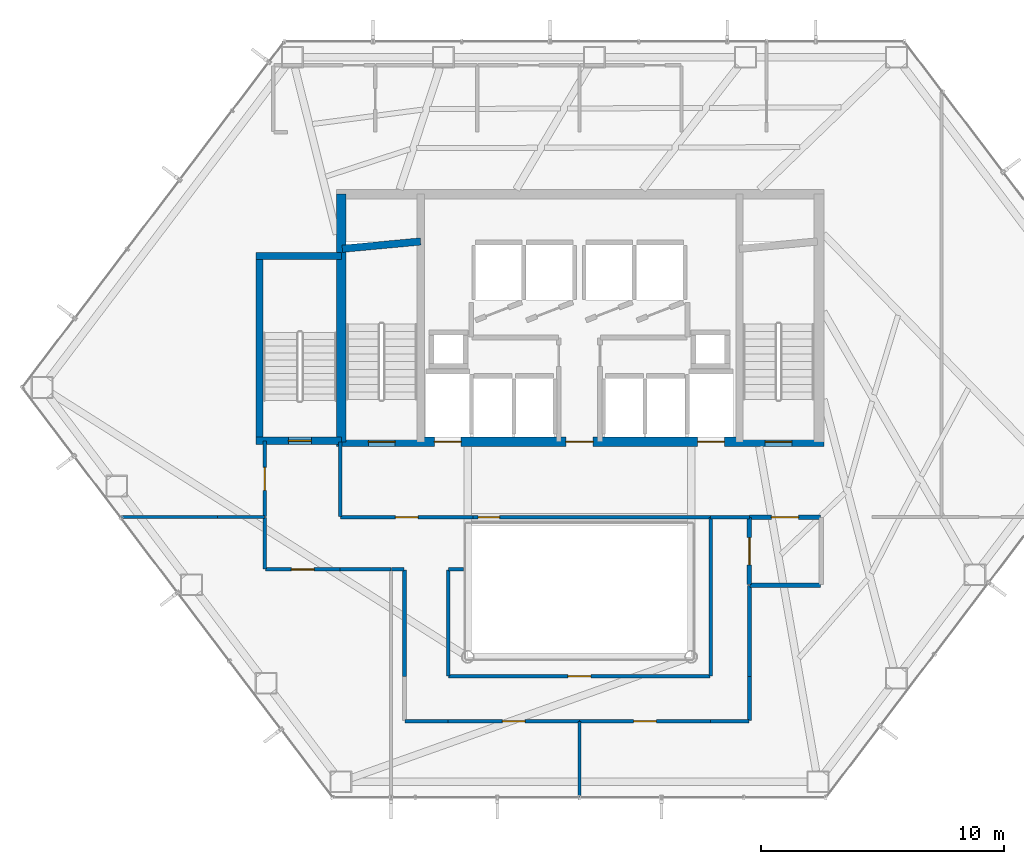
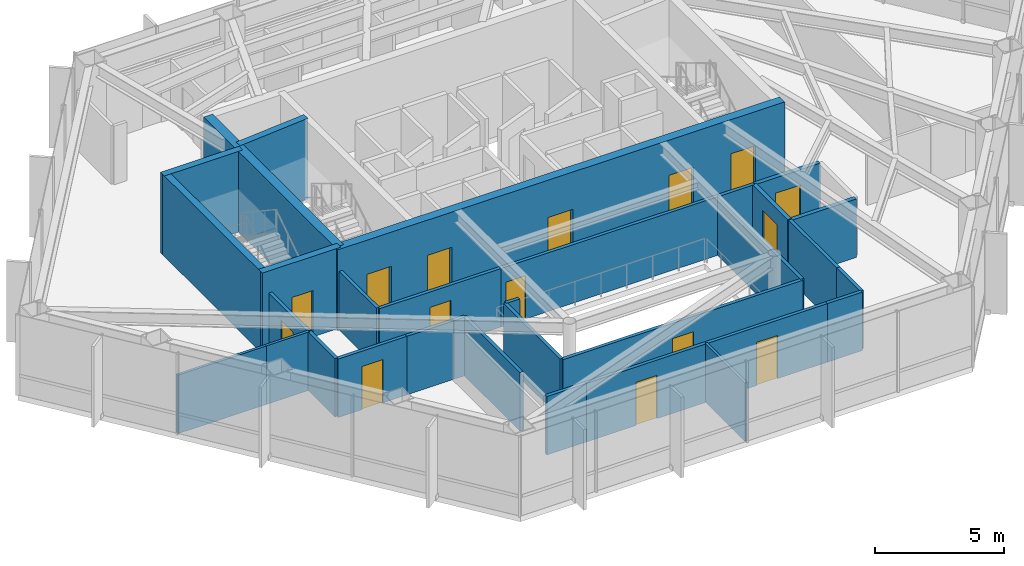
# One storey, part 21 of 24: 32 walls, 15 doors, 15 openings.
"""IFC4 building model written with IfcOpenShell, lengths in metres."""

from ifc_helpers import new_model, si_unit, direction, frame, frame_2d, origin, place, context, subcontext, project, spatial, rectangle, extrude, material, layer, layer_set, type_object, element, fill, save


model = new_model("IFC4")

# Units and contexts
model_context = context("Model", 3, precision=1e-05, world=origin(), true_north=direction((0.0, 1.0)))
body_context = subcontext(model_context, "Body", "Model", "MODEL_VIEW")
ifc_project = project(units=[si_unit("LENGTHUNIT", "METRE"), si_unit("AREAUNIT", "SQUARE_METRE"), si_unit("VOLUMEUNIT", "CUBIC_METRE"), si_unit("PLANEANGLEUNIT", "RADIAN"), si_unit("MASSUNIT", "GRAM", prefix="KILO")], contexts=[model_context])

# Site, building, storey
site_placement = place(None, origin())
site = spatial("IfcSite", under=ifc_project, at=site_placement, CompositionType="ELEMENT")
building_placement = place(site_placement, origin())
building = spatial("IfcBuilding", under=site, at=building_placement, Name="Zarrinselat Tower", CompositionType="ELEMENT")
storey_placement = place(building_placement, frame((0.0, 0.0, 72.419921875)))
storey = spatial("IfcBuildingStorey", under=building, at=storey_placement, Name="L17", CompositionType="ELEMENT", Elevation=72.419921875)

# Wall, opening, door
ifc_material_1 = material(Name="Concrete C40/50", Category="concrete")
ifc_layer_1 = layer(ifc_material_1, 0.18994140625)
ifc_layer_set_1 = layer_set([ifc_layer_1], Name="Concrete C40/50")
wall_type_1 = type_object("IfcWallType", Name="WAL-PART-EI120", PredefinedType="PARTITIONING", material=ifc_layer_set_1)
wall_1_placement = place(storey_placement, frame((45.405029296875, 30.14990234375, 0.0), z_axis=(0.0, 0.0, 1.0), x_axis=(1.0, 0.0, 0.0)))
wall_1 = element("IfcWall", 1, at=wall_1_placement, inside=storey, type_object=wall_type_1, Name="L17 Partition Wall 7", PredefinedType="PARTITIONING", context=body_context, shape_type="SweptSolid", body=[
    extrude(rectangle(XDim=2.925048828125, YDim=0.18994140625, at=frame_2d((1.46240234375, 0.0))), origin(), (0.0, 0.0, 1.0), 2.777099609375),
])
opening_1_placement = place(wall_1_placement, frame((0.902587890625, 0.0, 0.0)))
opening_1 = element("IfcOpeningElement", 2, at=opening_1_placement, cuts=wall_1, Name="Opening ID-02", PredefinedType="OPENING", context=body_context, shape_type="SweptSolid", body=[
    extrude(rectangle(XDim=1.1201171875, YDim=2.050048828125, at=frame_2d((0.56005859375, 1.02490234375))), frame((0.0, 0.10498046875, 0.0), z_axis=(0.0, -1.0, 0.0), x_axis=(1.0, 0.0, 0.0)), (0.0, 0.0, 1.0), 0.2099609375),
])
ifc_material_2 = material(Name="Steel S355J2", Category="steel")
door_type_1 = type_object("IfcDoorType", Name="DR-INT-FD60-W", OperationType="NOTDEFINED", PredefinedType="DOOR", material=ifc_material_2)
door_1_placement = place(opening_1_placement, origin())
door_1 = element("IfcDoor", 3, at=door_1_placement, inside=storey, type_object=door_type_1, Name="L17 Interior Door P7", OperationType="SINGLE_SWING_LEFT", OverallHeight=2.050048828125, OverallWidth=1.1201171875, PredefinedType="DOOR", context=body_context, shape_type="SweptSolid", body=[
    extrude(rectangle(XDim=1.1201171875, YDim=2.050048828125, at=frame_2d((0.56005859375, 1.02490234375))), frame((0.0, 0.02490234375, 0.0), z_axis=(0.0, -1.0, 0.0), x_axis=(1.0, 0.0, 0.0)), (0.0, 0.0, 1.0), 0.050048828125),
])
fill(opening_1, door_1)

wall_2_placement = place(storey_placement, frame((45.39990234375, 27.3701171875, 0.0), z_axis=(0.0, 0.0, 1.0), x_axis=(0.0, 1.0, 0.0)))
wall_2 = element("IfcWall", 4, at=wall_2_placement, inside=storey, type_object=wall_type_1, Name="L17 Partition Wall 12", PredefinedType="PARTITIONING", context=body_context, shape_type="SweptSolid", body=[
    extrude(rectangle(XDim=2.759765625, YDim=0.18994140625, at=frame_2d((1.3798828125, 0.0))), origin(), (0.0, 0.0, 1.0), 2.777099609375),
])
opening_2_placement = place(wall_2_placement, frame((0.820068359375, 0.0, 0.0)))
opening_2 = element("IfcOpeningElement", 5, at=opening_2_placement, cuts=wall_2, Name="Opening ID-02", PredefinedType="OPENING", context=body_context, shape_type="SweptSolid", body=[
    extrude(rectangle(XDim=1.1201171875, YDim=2.050048828125, at=frame_2d((0.56005859375, 1.02490234375))), frame((0.0, 0.10498046875, 0.0), z_axis=(0.0, -1.0, 0.0), x_axis=(1.0, 0.0, 0.0)), (0.0, 0.0, 1.0), 0.2099609375),
])
door_2_placement = place(opening_2_placement, origin())
door_2 = element("IfcDoor", 6, at=door_2_placement, inside=storey, type_object=door_type_1, Name="L17 Interior Door P12", OperationType="SINGLE_SWING_RIGHT", OverallHeight=2.050048828125, OverallWidth=1.1201171875, PredefinedType="DOOR", context=body_context, shape_type="SweptSolid", body=[
    extrude(rectangle(XDim=1.1201171875, YDim=2.050048828125, at=frame_2d((0.56005859375, 1.02490234375))), frame((0.0, 0.02490234375, 0.0), z_axis=(0.0, -1.0, 0.0), x_axis=(1.0, 0.0, 0.0)), (0.0, 0.0, 1.0), 0.050048828125),
])
fill(opening_2, door_2)

# Walls
wall_3_placement = place(storey_placement, frame((45.419921875, 27.35009765625, 0.0), z_axis=(0.0, 0.0, 1.0), x_axis=(1.0, 0.0, 0.0)))
element("IfcWall", 7, at=wall_3_placement, inside=storey, type_object=wall_type_1, Name="L17 Partition Wall 13", PredefinedType="PARTITIONING", context=body_context, shape_type="SweptSolid", body=[
    extrude(rectangle(XDim=2.91015625, YDim=0.18994140625, at=frame_2d((1.455078125, 0.0))), origin(), (0.0, 0.0, 1.0), 2.777099609375),
])
ifc_material_3 = material(Name="Fire-Rated Gypsum Board Partition", Category="gypsum")
ifc_layer_2 = layer(ifc_material_3, 0.14990234375)
ifc_layer_set_2 = layer_set([ifc_layer_2], Name="Fire-Rated Gypsum Board Partition")
wall_type_2 = type_object("IfcWallType", Name="WAL-PART-EI60", PredefinedType="PARTITIONING", material=ifc_layer_set_2)
wall_4_placement = place(storey_placement, frame((43.804931640625, 30.14990234375, 0.0), z_axis=(0.0, 0.0, 1.0), x_axis=(1.0, 0.0, 0.0)))
element("IfcWall", 8, at=wall_4_placement, inside=storey, type_object=wall_type_2, Name="L17 Partition Wall 8", PredefinedType="PARTITIONING", context=body_context, shape_type="SweptSolid", body=[
    extrude(rectangle(XDim=1.590087890625, YDim=0.14990234375, at=frame_2d((0.794921875, 0.0))), origin(), (0.0, 0.0, 1.0), 2.777099609375),
])

# Wall, opening, door
wall_5_placement = place(storey_placement, frame((28.570068359375, 30.14990234375, 0.0), z_axis=(0.0, 0.0, 1.0), x_axis=(1.0, 0.0, 0.0)))
wall_5 = element("IfcWall", 9, at=wall_5_placement, inside=storey, type_object=wall_type_2, Name="L17 Partition Wall 9", PredefinedType="PARTITIONING", context=body_context, shape_type="SweptSolid", body=[
    extrude(rectangle(XDim=5.44482421875, YDim=0.14990234375, at=frame_2d((2.722412109375, 0.0))), origin(), (0.0, 0.0, 1.0), 2.777099609375),
])
opening_3_placement = place(wall_5_placement, frame((2.25244140625, 0.0, 0.0)))
opening_3 = element("IfcOpeningElement", 10, at=opening_3_placement, cuts=wall_5, Name="Opening ID-04", PredefinedType="OPENING", context=body_context, shape_type="SweptSolid", body=[
    extrude(rectangle(XDim=0.93994140625, YDim=2.050048828125, at=frame_2d((0.469970703125, 1.02490234375))), frame((0.0, 0.0849609375, 0.0), z_axis=(0.0, -1.0, 0.0), x_axis=(1.0, 0.0, 0.0)), (0.0, 0.0, 1.0), 0.169921875),
])
ifc_material_4 = material(Name="Fire-Rated Gypsum Board Partition")
door_type_2 = type_object("IfcDoorType", Name="DR-INT-FD30-ENT", OperationType="NOTDEFINED", PredefinedType="DOOR", material=ifc_material_4)
door_3_placement = place(opening_3_placement, origin())
door_3 = element("IfcDoor", 11, at=door_3_placement, inside=storey, type_object=door_type_2, Name="L17 Interior Door P9", OperationType="SINGLE_SWING_RIGHT", OverallHeight=2.050048828125, OverallWidth=0.93994140625, PredefinedType="DOOR", context=body_context, shape_type="SweptSolid", body=[
    extrude(rectangle(XDim=0.93994140625, YDim=2.050048828125, at=frame_2d((0.469970703125, 1.02490234375))), frame((0.0, 0.02490234375, 0.0), z_axis=(0.0, -1.0, 0.0), x_axis=(1.0, 0.0, 0.0)), (0.0, 0.0, 1.0), 0.050048828125),
])
fill(opening_3, door_3)

# Wall
wall_6_placement = place(storey_placement, frame((28.550048828125, 30.169921875, 0.0), z_axis=(0.0, 0.0, 1.0), x_axis=(0.0, 1.0, 0.0)))
element("IfcWall", 12, at=wall_6_placement, inside=storey, type_object=wall_type_2, Name="L17 Partition Wall 10", PredefinedType="PARTITIONING", context=body_context, shape_type="SweptSolid", body=[
    extrude(rectangle(XDim=3.065185546875, YDim=0.14990234375, at=frame_2d((1.53271484375, 0.0))), origin(), (0.0, 0.0, 1.0), 2.777099609375),
])

# Wall, opening, door
wall_7_placement = place(storey_placement, frame((33.985107421875, 30.14990234375, 0.0), z_axis=(0.0, 0.0, 1.0), x_axis=(1.0, 0.0, 0.0)))
wall_7 = element("IfcWall", 13, at=wall_7_placement, inside=storey, type_object=wall_type_2, Name="L17 Partition Wall 11", PredefinedType="PARTITIONING", context=body_context, shape_type="SweptSolid", body=[
    extrude(rectangle(XDim=9.809814453125, YDim=0.14990234375, at=frame_2d((4.90478515625, 0.0))), origin(), (0.0, 0.0, 1.0), 2.777099609375),
])
opening_4_placement = place(wall_7_placement, frame((0.25, 0.0, 0.0)))
opening_4 = element("IfcOpeningElement", 14, at=opening_4_placement, cuts=wall_7, Name="Opening ID-03", PredefinedType="OPENING", context=body_context, shape_type="SweptSolid", body=[
    extrude(rectangle(XDim=0.8798828125, YDim=2.050048828125, at=frame_2d((0.43994140625, 1.02490234375))), frame((0.0, 0.0849609375, 0.0), z_axis=(0.0, -1.0, 0.0), x_axis=(1.0, 0.0, 0.0)), (0.0, 0.0, 1.0), 0.169921875),
])
ifc_material_5 = material(Name="Steel S355J2", Category="steel")
door_type_3 = type_object("IfcDoorType", Name="DR-INT-FD60-S", OperationType="NOTDEFINED", PredefinedType="DOOR", material=ifc_material_5)
door_4_placement = place(opening_4_placement, origin())
door_4 = element("IfcDoor", 15, at=door_4_placement, inside=storey, type_object=door_type_3, Name="L17 Interior Door P11", OperationType="SINGLE_SWING_LEFT", OverallHeight=2.050048828125, OverallWidth=0.8798828125, PredefinedType="DOOR", context=body_context, shape_type="SweptSolid", body=[
    extrude(rectangle(XDim=0.8798828125, YDim=2.050048828125, at=frame_2d((0.43994140625, 1.02490234375))), frame((0.0, 0.02490234375, 0.0), z_axis=(0.0, -1.0, 0.0), x_axis=(1.0, 0.0, 0.0)), (0.0, 0.0, 1.0), 0.050048828125),
])
fill(opening_4, door_4)

wall_8_placement = place(storey_placement, frame((33.0, 21.75, 0.0), z_axis=(0.0, 0.0, 1.0), x_axis=(1.0, 0.0, 0.0)))
wall_8 = element("IfcWall", 16, at=wall_8_placement, inside=storey, type_object=wall_type_2, Name="L17 Partition Wall 15", PredefinedType="PARTITIONING", context=body_context, shape_type="SweptSolid", body=[
    extrude(rectangle(XDim=5.39501953125, YDim=0.14990234375, at=frame_2d((2.697509765625, 0.0))), origin(), (0.0, 0.0, 1.0), 2.777099609375),
])
opening_5_placement = place(wall_8_placement, frame((2.2275390625, 0.0, 0.0)))
opening_5 = element("IfcOpeningElement", 17, at=opening_5_placement, cuts=wall_8, Name="Opening ID-04", PredefinedType="OPENING", context=body_context, shape_type="SweptSolid", body=[
    extrude(rectangle(XDim=0.93994140625, YDim=2.050048828125, at=frame_2d((0.469970703125, 1.02490234375))), frame((0.0, 0.0849609375, 0.0), z_axis=(0.0, -1.0, 0.0), x_axis=(1.0, 0.0, 0.0)), (0.0, 0.0, 1.0), 0.169921875),
])
door_5_placement = place(opening_5_placement, origin())
door_5 = element("IfcDoor", 18, at=door_5_placement, inside=storey, type_object=door_type_2, Name="L17 Interior Door P15", OperationType="SINGLE_SWING_LEFT", OverallHeight=2.050048828125, OverallWidth=0.93994140625, PredefinedType="DOOR", context=body_context, shape_type="SweptSolid", body=[
    extrude(rectangle(XDim=0.93994140625, YDim=2.050048828125, at=frame_2d((0.469970703125, 1.02490234375))), frame((0.0, 0.02490234375, 0.0), z_axis=(0.0, -1.0, 0.0), x_axis=(1.0, 0.0, 0.0)), (0.0, 0.0, 1.0), 0.050048828125),
])
fill(opening_5, door_5)

# Walls
wall_9_placement = place(storey_placement, frame((31.219970703125, 21.75, 0.0), z_axis=(0.0, 0.0, 1.0), x_axis=(1.0, 0.0, 0.0)))
element("IfcWall", 19, at=wall_9_placement, inside=storey, type_object=wall_type_2, Name="L17 Partition Wall 16", PredefinedType="PARTITIONING", context=body_context, shape_type="SweptSolid", body=[
    extrude(rectangle(XDim=1.780029296875, YDim=0.14990234375, at=frame_2d((0.89013671875, 0.0))), origin(), (0.0, 0.0, 1.0), 2.777099609375),
])
wall_10_placement = place(storey_placement, frame((31.199951171875, 23.60009765625, 0.0), z_axis=(0.0, 0.0, 1.0), x_axis=(0.0, 1.0, 0.0)))
element("IfcWall", 20, at=wall_10_placement, inside=storey, type_object=wall_type_2, Name="L17 Partition Wall 18", PredefinedType="PARTITIONING", context=body_context, shape_type="SweptSolid", body=[
    extrude(rectangle(XDim=4.3798828125, YDim=0.14990234375, at=frame_2d((2.18994140625, 0.0))), origin(), (0.0, 0.0, 1.0), 2.777099609375),
])
wall_11_placement = place(storey_placement, frame((30.655029296875, 28.0, 0.0), z_axis=(0.0, 0.0, 1.0), x_axis=(1.0, 0.0, 0.0)))
element("IfcWall", 21, at=wall_11_placement, inside=storey, type_object=wall_type_2, Name="L17 Partition Wall 19", PredefinedType="PARTITIONING", context=body_context, shape_type="SweptSolid", body=[
    extrude(rectangle(XDim=0.52490234375, YDim=0.14990234375, at=frame_2d((0.262451171875, 0.0))), origin(), (0.0, 0.0, 1.0), 2.777099609375),
])
wall_12_placement = place(storey_placement, frame((45.39990234375, 23.60009765625, 0.0), z_axis=(0.0, 0.0, 1.0), x_axis=(0.0, 1.0, 0.0)))
element("IfcWall", 22, at=wall_12_placement, inside=storey, type_object=wall_type_2, Name="L17 Partition Wall 20", PredefinedType="PARTITIONING", context=body_context, shape_type="SweptSolid", body=[
    extrude(rectangle(XDim=3.72998046875, YDim=0.14990234375, at=frame_2d((1.864990234375, 0.0))), origin(), (0.0, 0.0, 1.0), 2.777099609375),
])
wall_13_placement = place(storey_placement, frame((45.39990234375, 21.77001953125, 0.0), z_axis=(0.0, 0.0, 1.0), x_axis=(0.0, 1.0, 0.0)))
element("IfcWall", 23, at=wall_13_placement, inside=storey, type_object=wall_type_2, Name="L17 Partition Wall 21", PredefinedType="PARTITIONING", context=body_context, shape_type="SweptSolid", body=[
    extrude(rectangle(XDim=1.830078125, YDim=0.14990234375, at=frame_2d((0.9150390625, 0.0))), origin(), (0.0, 0.0, 1.0), 2.777099609375),
])
wall_14_placement = place(storey_placement, frame((43.800048828125, 21.75, 0.0), z_axis=(0.0, 0.0, 1.0), x_axis=(1.0, 0.0, 0.0)))
element("IfcWall", 24, at=wall_14_placement, inside=storey, type_object=wall_type_2, Name="L17 Partition Wall 22", PredefinedType="PARTITIONING", context=body_context, shape_type="SweptSolid", body=[
    extrude(rectangle(XDim=1.579833984375, YDim=0.14990234375, at=frame_2d((0.7900390625, 0.0))), origin(), (0.0, 0.0, 1.0), 2.777099609375),
])

# Wall, opening, door
wall_15_placement = place(storey_placement, frame((38.405029296875, 21.75, 0.0), z_axis=(0.0, 0.0, 1.0), x_axis=(1.0, 0.0, 0.0)))
wall_15 = element("IfcWall", 25, at=wall_15_placement, inside=storey, type_object=wall_type_2, Name="L17 Partition Wall 23", PredefinedType="PARTITIONING", context=body_context, shape_type="SweptSolid", body=[
    extrude(rectangle(XDim=5.39501953125, YDim=0.14990234375, at=frame_2d((2.697509765625, 0.0))), origin(), (0.0, 0.0, 1.0), 2.777099609375),
])
opening_6_placement = place(wall_15_placement, frame((2.2275390625, 0.0, 0.0)))
opening_6 = element("IfcOpeningElement", 26, at=opening_6_placement, cuts=wall_15, Name="Opening ID-04", PredefinedType="OPENING", context=body_context, shape_type="SweptSolid", body=[
    extrude(rectangle(XDim=0.93994140625, YDim=2.050048828125, at=frame_2d((0.469970703125, 1.02490234375))), frame((0.0, 0.0849609375, 0.0), z_axis=(0.0, -1.0, 0.0), x_axis=(1.0, 0.0, 0.0)), (0.0, 0.0, 1.0), 0.169921875),
])
door_6_placement = place(opening_6_placement, origin())
door_6 = element("IfcDoor", 27, at=door_6_placement, inside=storey, type_object=door_type_2, Name="L17 Interior Door P23", OperationType="SINGLE_SWING_RIGHT", OverallHeight=2.050048828125, OverallWidth=0.93994140625, PredefinedType="DOOR", context=body_context, shape_type="SweptSolid", body=[
    extrude(rectangle(XDim=0.93994140625, YDim=2.050048828125, at=frame_2d((0.469970703125, 1.02490234375))), frame((0.0, 0.02490234375, 0.0), z_axis=(0.0, -1.0, 0.0), x_axis=(1.0, 0.0, 0.0)), (0.0, 0.0, 1.0), 0.050048828125),
])
fill(opening_6, door_6)

# Wall
wall_16_placement = place(storey_placement, frame((28.550048828125, 28.0, 0.0), z_axis=(0.0, 0.0, 1.0), x_axis=(1.0, 0.0, 0.0)))
element("IfcWall", 28, at=wall_16_placement, inside=storey, type_object=wall_type_2, Name="L17 Partition Wall 24", PredefinedType="PARTITIONING", context=body_context, shape_type="SweptSolid", body=[
    extrude(rectangle(XDim=2.094970703125, YDim=0.14990234375, at=frame_2d((1.04736328125, 0.0))), origin(), (0.0, 0.0, 1.0), 2.777099609375),
])

# Wall, opening, door
wall_17_placement = place(storey_placement, frame((25.469970703125, 28.0, 0.0), z_axis=(0.0, 0.0, 1.0), x_axis=(1.0, 0.0, 0.0)))
wall_17 = element("IfcWall", 29, at=wall_17_placement, inside=storey, type_object=wall_type_2, Name="L17 Partition Wall 25", PredefinedType="PARTITIONING", context=body_context, shape_type="SweptSolid", body=[
    extrude(rectangle(XDim=3.080078125, YDim=0.14990234375, at=frame_2d((1.5400390625, 0.0))), origin(), (0.0, 0.0, 1.0), 2.777099609375),
])
opening_7_placement = place(wall_17_placement, frame((1.070068359375, 0.0, 0.0)))
opening_7 = element("IfcOpeningElement", 30, at=opening_7_placement, cuts=wall_17, Name="Opening ID-04", PredefinedType="OPENING", context=body_context, shape_type="SweptSolid", body=[
    extrude(rectangle(XDim=0.93994140625, YDim=2.050048828125, at=frame_2d((0.469970703125, 1.02490234375))), frame((0.0, 0.0849609375, 0.0), z_axis=(0.0, -1.0, 0.0), x_axis=(1.0, 0.0, 0.0)), (0.0, 0.0, 1.0), 0.169921875),
])
door_7_placement = place(opening_7_placement, origin())
door_7 = element("IfcDoor", 31, at=door_7_placement, inside=storey, type_object=door_type_2, Name="L17 Interior Door P25", OperationType="SINGLE_SWING_LEFT", OverallHeight=2.050048828125, OverallWidth=0.93994140625, PredefinedType="DOOR", context=body_context, shape_type="SweptSolid", body=[
    extrude(rectangle(XDim=0.93994140625, YDim=2.050048828125, at=frame_2d((0.469970703125, 1.02490234375))), frame((0.0, 0.02490234375, 0.0), z_axis=(0.0, -1.0, 0.0), x_axis=(1.0, 0.0, 0.0)), (0.0, 0.0, 1.0), 0.050048828125),
])
fill(opening_7, door_7)

# Wall
wall_18_placement = place(storey_placement, frame((25.449951171875, 28.02001953125, 0.0), z_axis=(0.0, 0.0, 1.0), x_axis=(0.0, 1.0, 0.0)))
element("IfcWall", 32, at=wall_18_placement, inside=storey, type_object=wall_type_2, Name="L17 Partition Wall 26", PredefinedType="PARTITIONING", context=body_context, shape_type="SweptSolid", body=[
    extrude(rectangle(XDim=2.10986328125, YDim=0.14990234375, at=frame_2d((1.054931640625, 0.0))), origin(), (0.0, 0.0, 1.0), 2.777099609375),
])

# Wall, opening, door
wall_19_placement = place(storey_placement, frame((25.449951171875, 30.169921875, 0.0), z_axis=(0.0, 0.0, 1.0), x_axis=(0.0, 1.0, 0.0)))
wall_19 = element("IfcWall", 33, at=wall_19_placement, inside=storey, type_object=wall_type_2, Name="L17 Partition Wall 27", PredefinedType="PARTITIONING", context=body_context, shape_type="SweptSolid", body=[
    extrude(rectangle(XDim=3.114990234375, YDim=0.14990234375, at=frame_2d((1.5576171875, 0.0))), origin(), (0.0, 0.0, 1.0), 2.777099609375),
])
opening_8_placement = place(wall_19_placement, frame((1.08740234375, 0.0, 0.0)))
opening_8 = element("IfcOpeningElement", 34, at=opening_8_placement, cuts=wall_19, Name="Opening ID-04", PredefinedType="OPENING", context=body_context, shape_type="SweptSolid", body=[
    extrude(rectangle(XDim=0.93994140625, YDim=2.050048828125, at=frame_2d((0.469970703125, 1.02490234375))), frame((0.0, 0.0849609375, 0.0), z_axis=(0.0, -1.0, 0.0), x_axis=(1.0, 0.0, 0.0)), (0.0, 0.0, 1.0), 0.169921875),
])
door_8_placement = place(opening_8_placement, origin())
door_8 = element("IfcDoor", 35, at=door_8_placement, inside=storey, type_object=door_type_2, Name="L17 Interior Door P27", OperationType="SINGLE_SWING_RIGHT", OverallHeight=2.050048828125, OverallWidth=0.93994140625, PredefinedType="DOOR", context=body_context, shape_type="SweptSolid", body=[
    extrude(rectangle(XDim=0.93994140625, YDim=2.050048828125, at=frame_2d((0.469970703125, 1.02490234375))), frame((0.0, 0.02490234375, 0.0), z_axis=(0.0, -1.0, 0.0), x_axis=(1.0, 0.0, 0.0)), (0.0, 0.0, 1.0), 0.050048828125),
])
fill(opening_8, door_8)

# Walls
wall_20_placement = place(storey_placement, frame((33.02001953125, 28.0, 0.0), z_axis=(0.0, 0.0, 1.0), x_axis=(1.0, 0.0, 0.0)))
element("IfcWall", 36, at=wall_20_placement, inside=storey, type_object=wall_type_2, Name="L17 Partition Wall 28", PredefinedType="PARTITIONING", context=body_context, shape_type="SweptSolid", body=[
    extrude(rectangle(XDim=0.60009765625, YDim=0.14990234375, at=frame_2d((0.300048828125, 0.0))), origin(), (0.0, 0.0, 1.0), 2.777099609375),
])
wall_21_placement = place(storey_placement, frame((33.0, 23.6201171875, 0.0), z_axis=(0.0, 0.0, 1.0), x_axis=(0.0, 1.0, 0.0)))
element("IfcWall", 37, at=wall_21_placement, inside=storey, type_object=wall_type_2, Name="L17 Partition Wall 29", PredefinedType="PARTITIONING", context=body_context, shape_type="SweptSolid", body=[
    extrude(rectangle(XDim=4.35986328125, YDim=0.14990234375, at=frame_2d((2.179931640625, 0.0))), origin(), (0.0, 0.0, 1.0), 2.777099609375),
])

# Wall, opening, door
wall_22_placement = place(storey_placement, frame((33.02001953125, 23.60009765625, 0.0), z_axis=(0.0, 0.0, 1.0), x_axis=(1.0, 0.0, 0.0)))
wall_22 = element("IfcWall", 38, at=wall_22_placement, inside=storey, type_object=wall_type_2, Name="L17 Partition Wall 30", PredefinedType="PARTITIONING", context=body_context, shape_type="SweptSolid", body=[
    extrude(rectangle(XDim=10.760009765625, YDim=0.14990234375, at=frame_2d((5.3798828125, 0.0))), origin(), (0.0, 0.0, 1.0), 2.777099609375),
])
opening_9_placement = place(wall_22_placement, frame((4.909912109375, 0.0, 0.0)))
opening_9 = element("IfcOpeningElement", 39, at=opening_9_placement, cuts=wall_22, Name="Opening ID-04", PredefinedType="OPENING", context=body_context, shape_type="SweptSolid", body=[
    extrude(rectangle(XDim=0.93994140625, YDim=2.050048828125, at=frame_2d((0.469970703125, 1.02490234375))), frame((0.0, 0.0849609375, 0.0), z_axis=(0.0, -1.0, 0.0), x_axis=(1.0, 0.0, 0.0)), (0.0, 0.0, 1.0), 0.169921875),
])
door_9_placement = place(opening_9_placement, origin())
door_9 = element("IfcDoor", 40, at=door_9_placement, inside=storey, type_object=door_type_2, Name="L17 Interior Door P30", OperationType="SINGLE_SWING_LEFT", OverallHeight=2.050048828125, OverallWidth=0.93994140625, PredefinedType="DOOR", context=body_context, shape_type="SweptSolid", body=[
    extrude(rectangle(XDim=0.93994140625, YDim=2.050048828125, at=frame_2d((0.469970703125, 1.02490234375))), frame((0.0, 0.02490234375, 0.0), z_axis=(0.0, -1.0, 0.0), x_axis=(1.0, 0.0, 0.0)), (0.0, 0.0, 1.0), 0.050048828125),
])
fill(opening_9, door_9)

# Walls
wall_23_placement = place(storey_placement, frame((43.800048828125, 23.6201171875, 0.0), z_axis=(0.0, 0.0, 1.0), x_axis=(0.0, 1.0, 0.0)))
element("IfcWall", 41, at=wall_23_placement, inside=storey, type_object=wall_type_2, Name="L17 Partition Wall 31", PredefinedType="PARTITIONING", context=body_context, shape_type="SweptSolid", body=[
    extrude(rectangle(XDim=6.509765625, YDim=0.14990234375, at=frame_2d((3.2548828125, 0.0))), origin(), (0.0, 0.0, 1.0), 2.777099609375),
])
ifc_material_6 = material(Name="Fire-Rated Gypsum Board Partition", Category="gypsum")
ifc_layer_3 = layer(ifc_material_6, 0.1201171875)
ifc_layer_set_3 = layer_set([ifc_layer_3], Name="Fire-Rated Gypsum Board Partition")
wall_type_3 = type_object("IfcWallType", Name="WAL-PART-STD", PredefinedType="PARTITIONING", material=ifc_layer_set_3)
wall_24_placement = place(storey_placement, frame((38.39990234375, 18.619873046875, 0.0), z_axis=(0.0, 0.0, 1.0), x_axis=(0.0, 1.0, 0.0)))
element("IfcWall", 42, at=wall_24_placement, inside=storey, type_object=wall_type_3, Name="L17 Partition Wall 42", PredefinedType="PARTITIONING", context=body_context, shape_type="SweptSolid", body=[
    extrude(rectangle(XDim=3.110107421875, YDim=0.1201171875, at=frame_2d((1.55517578125, 0.0))), origin(), (0.0, 0.0, 1.0), 2.777099609375),
])
wall_25_placement = place(storey_placement, frame((19.523681640625, 30.14990234375, 0.0), z_axis=(0.0, 0.0, 1.0), x_axis=(1.0, 0.0, 0.0)))
element("IfcWall", 43, at=wall_25_placement, inside=storey, type_object=wall_type_3, Name="L17 Partition Wall 46", PredefinedType="PARTITIONING", context=body_context, shape_type="SweptSolid", body=[
    extrude(rectangle(XDim=3.976318359375, YDim=0.1201171875, at=frame_2d((1.98828125, 0.0))), origin(), (0.0, 0.0, 1.0), 2.777099609375),
])
wall_26_placement = place(storey_placement, frame((23.5, 30.14990234375, 0.0), z_axis=(0.0, 0.0, 1.0), x_axis=(1.0, 0.0, 0.0)))
element("IfcWall", 44, at=wall_26_placement, inside=storey, type_object=wall_type_3, Name="L17 Partition Wall 47", PredefinedType="PARTITIONING", context=body_context, shape_type="SweptSolid", body=[
    extrude(rectangle(XDim=1.929931640625, YDim=0.1201171875, at=frame_2d((0.96484375, 0.0))), origin(), (0.0, 0.0, 1.0), 2.777099609375),
])
ifc_material_7 = material(Name="Concrete C40/50", Category="concrete")
ifc_layer_4 = layer(ifc_material_7, 0.300048828125)
ifc_layer_set_4 = layer_set([ifc_layer_4], Name="Concrete C40/50")
wall_type_4 = type_object("IfcWallType", Name="WAL-SHEAR-300", PredefinedType="SHEAR", material=ifc_layer_set_4)
wall_27_placement = place(storey_placement, frame((28.639892578125, 41.199951171875, 0.0), z_axis=(0.0, 0.0, 1.0), x_axis=(0.995687118776, 0.092774789157, 0.0)))
element("IfcWall", 45, at=wall_27_placement, inside=storey, type_object=wall_type_4, Name="L17 Stair 1 North Shaft Wall", PredefinedType="SHEAR", context=body_context, shape_type="SweptSolid", body=[
    extrude(rectangle(XDim=3.234130859375, YDim=0.300048828125, at=frame_2d((1.6171875, 0.0))), origin(), (0.0, 0.0, 1.0), 3.820068359375),
])
wall_28_placement = place(storey_placement, frame((25.080078125, 40.89990234375, 0.0), z_axis=(0.0, 0.0, 1.0), x_axis=(1.0, 0.0, 0.0)))
element("IfcWall", 46, at=wall_28_placement, inside=storey, type_object=wall_type_4, Name="L17 Stair 3 North Shear Wall", PredefinedType="SHEAR", context=body_context, shape_type="SweptSolid", body=[
    extrude(rectangle(XDim=3.52001953125, YDim=0.300048828125, at=frame_2d((1.760009765625, 0.0))), origin(), (0.0, 0.0, 1.0), 3.820068359375),
])

# Wall, opening, door
wall_29_placement = place(storey_placement, frame((25.080078125, 33.300048828125, 0.0), z_axis=(0.0, 0.0, 1.0), x_axis=(1.0, 0.0, 0.0)))
wall_29 = element("IfcWall", 47, at=wall_29_placement, inside=storey, type_object=wall_type_4, Name="L17 Stair 3 South Shear Wall", PredefinedType="SHEAR", context=body_context, shape_type="SweptSolid", body=[
    extrude(rectangle(XDim=3.52001953125, YDim=0.300048828125, at=frame_2d((1.760009765625, 0.0))), origin(), (0.0, 0.0, 1.0), 3.820068359375),
])
opening_10_placement = place(wall_29_placement, frame((1.3349609375, 0.0, 0.0)))
opening_10 = element("IfcOpeningElement", 48, at=opening_10_placement, cuts=wall_29, Name="Opening SD-02", PredefinedType="OPENING", context=body_context, shape_type="SweptSolid", body=[
    extrude(rectangle(XDim=0.949951171875, YDim=2.199951171875, at=frame_2d((0.47509765625, 1.10009765625))), frame((0.0, 0.159912109375, 0.0), z_axis=(0.0, -1.0, 0.0), x_axis=(1.0, 0.0, 0.0)), (0.0, 0.0, 1.0), 0.320068359375),
])
ifc_material_8 = material(Name="Steel S355J2", Category="steel")
door_type_4 = type_object("IfcDoorType", Name="DR-STAIR-1050", OperationType="NOTDEFINED", PredefinedType="DOOR", material=ifc_material_8)
door_10_placement = place(opening_10_placement, origin())
door_10 = element("IfcDoor", 49, at=door_10_placement, inside=storey, type_object=door_type_4, Name="L17 Exit Stair 3 Fire Door", OperationType="SINGLE_SWING_LEFT", OverallHeight=2.199951171875, OverallWidth=0.949951171875, PredefinedType="DOOR", context=body_context, shape_type="SweptSolid", body=[
    extrude(rectangle(XDim=0.949951171875, YDim=2.199951171875, at=frame_2d((0.47509765625, 1.10009765625))), frame((0.0, 0.02490234375, 0.0), z_axis=(0.0, -1.0, 0.0), x_axis=(1.0, 0.0, 0.0)), (0.0, 0.0, 1.0), 0.050048828125),
])
fill(opening_10, door_10)

# Wall
wall_30_placement = place(storey_placement, frame((25.22998046875, 33.300048828125, 0.0), z_axis=(0.0, 0.0, 1.0), x_axis=(0.0, 1.0, 0.0)))
element("IfcWall", 50, at=wall_30_placement, inside=storey, type_object=wall_type_4, Name="L17 Stair 3 West Shear Wall", PredefinedType="SHEAR", context=body_context, shape_type="SweptSolid", body=[
    extrude(rectangle(XDim=7.599853515625, YDim=0.300048828125, at=frame_2d((3.7998046875, 0.0))), origin(), (0.0, 0.0, 1.0), 3.820068359375),
])

# Wall, openings, doors
ifc_material_9 = material(Name="Concrete C60/75", Category="concrete")
ifc_layer_5 = layer(ifc_material_9, 0.39990234375)
ifc_layer_set_5 = layer_set([ifc_layer_5], Name="Concrete C60/75")
wall_type_5 = type_object("IfcWallType", Name="WAL-SHEAR-400", PredefinedType="SHEAR", material=ifc_layer_set_5)
wall_31_placement = place(storey_placement, frame((28.39990234375, 33.25, 0.0), z_axis=(0.0, 0.0, 1.0), x_axis=(1.0, 0.0, 0.0)))
wall_31 = element("IfcWall", 51, at=wall_31_placement, inside=storey, type_object=wall_type_5, Name="L17 South Core Shear Wall", PredefinedType="SHEAR", context=body_context, shape_type="SweptSolid", body=[
    extrude(rectangle(XDim=20.06005859375, YDim=0.39990234375, at=frame_2d((10.030029296875, 0.0))), origin(), (0.0, 0.0, 1.0), 3.820068359375),
])
opening_11_placement = place(wall_31_placement, frame((4.030029296875, 0.0, 0.0)))
opening_11 = element("IfcOpeningElement", 52, at=opening_11_placement, cuts=wall_31, Name="Opening LD-FFL1", PredefinedType="OPENING", context=body_context, shape_type="SweptSolid", body=[
    extrude(rectangle(XDim=1.10009765625, YDim=2.14990234375, at=frame_2d((0.550048828125, 1.074951171875))), frame((0.0, 0.2099609375, 0.0), z_axis=(0.0, -1.0, 0.0), x_axis=(1.0, 0.0, 0.0)), (0.0, 0.0, 1.0), 0.419921875),
])
opening_12_placement = place(wall_31_placement, frame((14.8701171875, 0.0, 0.0)))
opening_12 = element("IfcOpeningElement", 53, at=opening_12_placement, cuts=wall_31, Name="Opening LD-FFL2", PredefinedType="OPENING", context=body_context, shape_type="SweptSolid", body=[
    extrude(rectangle(XDim=1.10009765625, YDim=2.14990234375, at=frame_2d((0.550048828125, 1.074951171875))), frame((0.0, 0.2099609375, 0.0), z_axis=(0.0, -1.0, 0.0), x_axis=(1.0, 0.0, 0.0)), (0.0, 0.0, 1.0), 0.419921875),
])
opening_13_placement = place(wall_31_placement, frame((1.31005859375, 0.0, 0.0)))
opening_13 = element("IfcOpeningElement", 54, at=opening_13_placement, cuts=wall_31, Name="Opening SD-01", PredefinedType="OPENING", context=body_context, shape_type="SweptSolid", body=[
    extrude(rectangle(XDim=1.10009765625, YDim=2.199951171875, at=frame_2d((0.550048828125, 1.10009765625))), frame((0.0, 0.2099609375, 0.0), z_axis=(0.0, -1.0, 0.0), x_axis=(1.0, 0.0, 0.0)), (0.0, 0.0, 1.0), 0.419921875),
])
opening_14_placement = place(wall_31_placement, frame((9.43994140625, 0.0, 0.0)))
opening_14 = element("IfcOpeningElement", 55, at=opening_14_placement, cuts=wall_31, Name="Opening ID-02", PredefinedType="OPENING", context=body_context, shape_type="SweptSolid", body=[
    extrude(rectangle(XDim=1.1201171875, YDim=2.050048828125, at=frame_2d((0.56005859375, 1.02490234375))), frame((0.0, 0.2099609375, 0.0), z_axis=(0.0, -1.0, 0.0), x_axis=(1.0, 0.0, 0.0)), (0.0, 0.0, 1.0), 0.419921875),
])
opening_15_placement = place(wall_31_placement, frame((17.64990234375, 0.0, 0.0)))
opening_15 = element("IfcOpeningElement", 56, at=opening_15_placement, cuts=wall_31, Name="Opening SD-01", PredefinedType="OPENING", context=body_context, shape_type="SweptSolid", body=[
    extrude(rectangle(XDim=1.10009765625, YDim=2.199951171875, at=frame_2d((0.550048828125, 1.10009765625))), frame((0.0, 0.2099609375, 0.0), z_axis=(0.0, -1.0, 0.0), x_axis=(1.0, 0.0, 0.0)), (0.0, 0.0, 1.0), 0.419921875),
])
door_11_placement = place(opening_14_placement, origin())
door_11 = element("IfcDoor", 57, at=door_11_placement, inside=storey, type_object=door_type_1, Name="L17 Core Service Vestibule Fire Door", OperationType="SINGLE_SWING_LEFT", OverallHeight=2.050048828125, OverallWidth=1.1201171875, PredefinedType="DOOR", context=body_context, shape_type="SweptSolid", body=[
    extrude(rectangle(XDim=1.1201171875, YDim=2.050048828125, at=frame_2d((0.56005859375, 1.02490234375))), frame((0.0, 0.02490234375, 0.0), z_axis=(0.0, -1.0, 0.0), x_axis=(1.0, 0.0, 0.0)), (0.0, 0.0, 1.0), 0.050048828125),
])
fill(opening_14, door_11)
ifc_material_10 = material(Name="Steel S355J2", Category="steel")
door_type_5 = type_object("IfcDoorType", Name="DR-LIFT-FF-1100", OperationType="NOTDEFINED", PredefinedType="DOOR", material=ifc_material_10)
door_12_placement = place(opening_11_placement, origin())
door_12 = element("IfcDoor", 58, at=door_12_placement, inside=storey, type_object=door_type_5, Name="L17 Lift FFL1 Sliding Landing Door", OperationType="SLIDING_TO_LEFT", OverallHeight=2.14990234375, OverallWidth=1.10009765625, PredefinedType="DOOR", context=body_context, shape_type="SweptSolid", body=[
    extrude(rectangle(XDim=1.10009765625, YDim=2.14990234375, at=frame_2d((0.550048828125, 1.074951171875))), frame((0.0, 0.02490234375, 0.0), z_axis=(0.0, -1.0, 0.0), x_axis=(1.0, 0.0, 0.0)), (0.0, 0.0, 1.0), 0.050048828125),
])
fill(opening_11, door_12)
door_13_placement = place(opening_12_placement, origin())
door_13 = element("IfcDoor", 59, at=door_13_placement, inside=storey, type_object=door_type_5, Name="L17 Lift FFL2 Sliding Landing Door", OperationType="SLIDING_TO_RIGHT", OverallHeight=2.14990234375, OverallWidth=1.10009765625, PredefinedType="DOOR", context=body_context, shape_type="SweptSolid", body=[
    extrude(rectangle(XDim=1.10009765625, YDim=2.14990234375, at=frame_2d((0.550048828125, 1.074951171875))), frame((0.0, 0.02490234375, 0.0), z_axis=(0.0, -1.0, 0.0), x_axis=(1.0, 0.0, 0.0)), (0.0, 0.0, 1.0), 0.050048828125),
])
fill(opening_12, door_13)
ifc_material_11 = material(Name="Steel S355J2", Category="steel")
door_type_6 = type_object("IfcDoorType", Name="DR-STAIR-1100", OperationType="NOTDEFINED", PredefinedType="DOOR", material=ifc_material_11)
door_14_placement = place(opening_13_placement, origin())
door_14 = element("IfcDoor", 60, at=door_14_placement, inside=storey, type_object=door_type_6, Name="L17 Exit Stair 1 Fire Door", OperationType="SINGLE_SWING_LEFT", OverallHeight=2.199951171875, OverallWidth=1.10009765625, PredefinedType="DOOR", context=body_context, shape_type="SweptSolid", body=[
    extrude(rectangle(XDim=1.10009765625, YDim=2.199951171875, at=frame_2d((0.550048828125, 1.10009765625))), frame((0.0, 0.02490234375, 0.0), z_axis=(0.0, -1.0, 0.0), x_axis=(1.0, 0.0, 0.0)), (0.0, 0.0, 1.0), 0.050048828125),
])
fill(opening_13, door_14)
door_15_placement = place(opening_15_placement, origin())
door_15 = element("IfcDoor", 61, at=door_15_placement, inside=storey, type_object=door_type_6, Name="L17 Exit Stair 2 Fire Door", OperationType="SINGLE_SWING_RIGHT", OverallHeight=2.199951171875, OverallWidth=1.10009765625, PredefinedType="DOOR", context=body_context, shape_type="SweptSolid", body=[
    extrude(rectangle(XDim=1.10009765625, YDim=2.199951171875, at=frame_2d((0.550048828125, 1.10009765625))), frame((0.0, 0.02490234375, 0.0), z_axis=(0.0, -1.0, 0.0), x_axis=(1.0, 0.0, 0.0)), (0.0, 0.0, 1.0), 0.050048828125),
])
fill(opening_15, door_15)

# Wall
wall_32_placement = place(storey_placement, frame((28.60009765625, 33.25, 0.0), z_axis=(0.0, 0.0, 1.0), x_axis=(0.0, 1.0, 0.0)))
element("IfcWall", 62, at=wall_32_placement, inside=storey, type_object=wall_type_5, Name="L17 Core Shear Wall W", PredefinedType="SHEAR", context=body_context, shape_type="SweptSolid", body=[
    extrude(rectangle(XDim=10.199951171875, YDim=0.39990234375, at=frame_2d((5.10009765625, 0.0))), origin(), (0.0, 0.0, 1.0), 3.820068359375),
])

save(model, "model.ifc")
